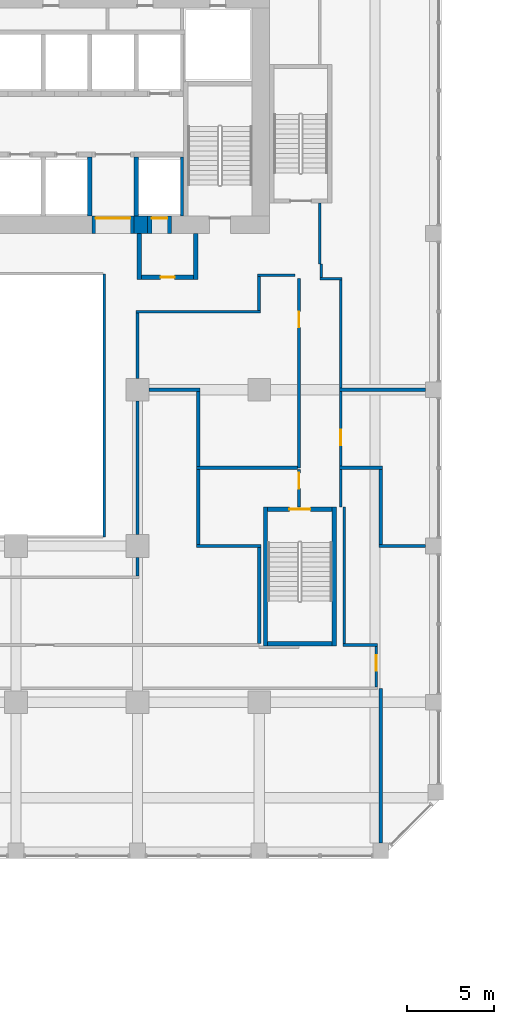
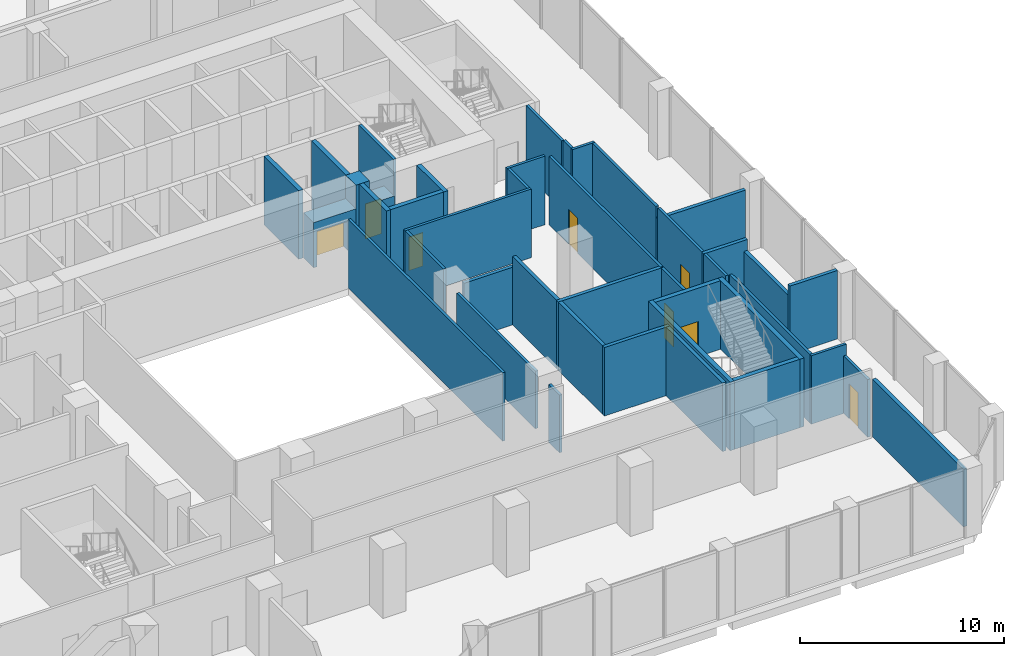
# One storey, part 19 of 35: 42 walls, 8 doors, 8 openings.
"""IFC4 building model written with IfcOpenShell, lengths in metres."""

from ifc_helpers import new_model, si_unit, direction, frame, frame_2d, origin, place, context, subcontext, project, spatial, rectangle, extrude, source, transform, mapped, material, layer, layer_set, type_object, element, fill, save


model = new_model("IFC4")

# Units and contexts
model_context = context("Model", 3, precision=1e-05, world=origin(), true_north=direction((0.0, 1.0)))
body_context = subcontext(model_context, "Body", "Model", "MODEL_VIEW")
ifc_project = project(units=[si_unit("LENGTHUNIT", "METRE"), si_unit("AREAUNIT", "SQUARE_METRE"), si_unit("VOLUMEUNIT", "CUBIC_METRE"), si_unit("PLANEANGLEUNIT", "RADIAN"), si_unit("MASSUNIT", "GRAM", prefix="KILO")], contexts=[model_context])

# Site, building, storey
site_placement = place(None, origin())
site = spatial("IfcSite", under=ifc_project, at=site_placement, CompositionType="ELEMENT")
building_placement = place(site_placement, origin())
building = spatial("IfcBuilding", under=site, at=building_placement, Name="Kilnfold Tower and Market Hall", CompositionType="ELEMENT")
storey_placement = place(building_placement, frame((0.0, 0.0, 13.5)))
storey = spatial("IfcBuildingStorey", under=building, at=storey_placement, Name="L02", CompositionType="ELEMENT", Elevation=13.5)

# Walls
ifc_material_1 = material(Name="Fire-resisting glazed screen")
ifc_layer_1 = layer(ifc_material_1, 0.14990234375)
ifc_layer_set_1 = layer_set([ifc_layer_1], Name="Fire-resisting glazed screen")
wall_type_1 = type_object("IfcWallType", Name="WALL ATRIUM 150", PredefinedType="PARTITIONING", material=ifc_layer_set_1)
wall_1_placement = place(storey_placement, frame((8.574951171875, 5.675048828125, 0.0), z_axis=(0.0, 0.0, 1.0), x_axis=(0.0, -1.0, 0.0)))
element("IfcWall", 1, at=wall_1_placement, inside=storey, type_object=wall_type_1, Name="Partition LY03.70", PredefinedType="PARTITIONING", context=body_context, shape_type="SweptSolid", body=[
    extrude(rectangle(XDim=15.150146484375, YDim=0.14990234375, at=frame_2d((7.5751953125, 0.0))), origin(), (0.0, 0.0, 1.0), 4.10009765625),
])
ifc_material_2 = material(Name="Gypsum board on steel studs", Category="steel")
ifc_layer_2 = layer(ifc_material_2, 0.14990234375)
ifc_layer_set_2 = layer_set([ifc_layer_2], Name="Gypsum board on steel studs")
wall_type_2 = type_object("IfcWallType", Name="WALL CORRIDOR 150", PredefinedType="PARTITIONING", material=ifc_layer_set_2)
wall_2_placement = place(storey_placement, frame((10.5, -9.35009765625, 0.0), z_axis=(0.0, 0.0, 1.0), x_axis=(0.0, 1.0, 0.0)))
element("IfcWall", 2, at=wall_2_placement, inside=storey, type_object=wall_type_2, Name="Partition LY03.18", PredefinedType="PARTITIONING", context=body_context, shape_type="SweptSolid", body=[
    extrude(rectangle(XDim=7.7001953125, YDim=0.14990234375, at=frame_2d((3.85009765625, 0.0))), origin(), (0.0, 0.0, 1.0), 3.449951171875),
])
wall_3_placement = place(storey_placement, frame((10.5, -11.72509765625, 0.0), z_axis=(0.0, 0.0, 1.0), x_axis=(0.0, 1.0, 0.0)))
element("IfcWall", 3, at=wall_3_placement, inside=storey, type_object=wall_type_2, Name="Partition LY03.19", PredefinedType="PARTITIONING", context=body_context, shape_type="SweptSolid", body=[
    extrude(rectangle(XDim=1.0751953125, YDim=0.14990234375, at=frame_2d((0.53759765625, 0.0))), origin(), (0.0, 0.0, 1.0), 3.449951171875),
])
wall_4_placement = place(storey_placement, frame((21.0, 6.25, 0.0), z_axis=(0.0, 0.0, 1.0), x_axis=(0.0, 1.0, 0.0)))
element("IfcWall", 4, at=wall_4_placement, inside=storey, type_object=wall_type_2, Name="Partition LY03.24", PredefinedType="PARTITIONING", context=body_context, shape_type="SweptSolid", body=[
    extrude(rectangle(XDim=3.5, YDim=0.14990234375, at=frame_2d((1.75, 0.0))), origin(), (0.0, 0.0, 1.0), 4.10009765625),
])
wall_5_placement = place(storey_placement, frame((21.074951171875, 5.47509765625, 0.0), z_axis=(0.0, 0.0, 1.0), x_axis=(0.0, 1.0, 0.0)))
element("IfcWall", 5, at=wall_5_placement, inside=storey, type_object=wall_type_2, Name="Partition LY03.25", PredefinedType="PARTITIONING", context=body_context, shape_type="SweptSolid", body=[
    extrude(rectangle(XDim=0.77490234375, YDim=0.14990234375, at=frame_2d((0.387451171875, 0.0))), origin(), (0.0, 0.0, 1.0), 4.10009765625),
])
wall_6_placement = place(storey_placement, frame((22.27490234375, 5.39990234375, 0.0), z_axis=(0.0, 0.0, 1.0), x_axis=(-1.0, 0.0, 0.0)))
element("IfcWall", 6, at=wall_6_placement, inside=storey, type_object=wall_type_2, Name="Partition LY03.26", PredefinedType="PARTITIONING", context=body_context, shape_type="SweptSolid", body=[
    extrude(rectangle(XDim=1.27490234375, YDim=0.14990234375, at=frame_2d((0.637451171875, 0.0))), origin(), (0.0, 0.0, 1.0), 4.10009765625),
])
wall_7_placement = place(storey_placement, frame((22.199951171875, -0.909912109375, 0.0), z_axis=(0.0, 0.0, 1.0), x_axis=(0.0, 1.0, 0.0)))
element("IfcWall", 7, at=wall_7_placement, inside=storey, type_object=wall_type_2, Name="Partition LY03.27", PredefinedType="PARTITIONING", context=body_context, shape_type="SweptSolid", body=[
    extrude(rectangle(XDim=6.23486328125, YDim=0.14990234375, at=frame_2d((3.117431640625, 0.0))), origin(), (0.0, 0.0, 1.0), 4.10009765625),
])
wall_8_placement = place(storey_placement, frame((10.425048828125, 3.5, 0.0), z_axis=(0.0, 0.0, 1.0), x_axis=(1.0, 0.0, 0.0)))
element("IfcWall", 8, at=wall_8_placement, inside=storey, type_object=wall_type_2, Name="Partition LY03.28", PredefinedType="PARTITIONING", context=body_context, shape_type="SweptSolid", body=[
    extrude(rectangle(XDim=7.14990234375, YDim=0.14990234375, at=frame_2d((3.574951171875, 0.0))), origin(), (0.0, 0.0, 1.0), 4.10009765625),
])
wall_9_placement = place(storey_placement, frame((10.5, -0.35009765625, 0.0), z_axis=(0.0, 0.0, 1.0), x_axis=(0.0, 1.0, 0.0)))
element("IfcWall", 9, at=wall_9_placement, inside=storey, type_object=wall_type_2, Name="Partition LY03.29", PredefinedType="PARTITIONING", context=body_context, shape_type="SweptSolid", body=[
    extrude(rectangle(XDim=3.775146484375, YDim=0.14990234375, at=frame_2d((1.8876953125, 0.0))), origin(), (0.0, 0.0, 1.0), 4.10009765625),
])

# Wall, opening, door
wall_10_placement = place(storey_placement, frame((19.801025390625, 5.402099609375, 0.0), z_axis=(0.0, 0.0, 1.0), x_axis=(-8.9493467e-05, -0.999999995995, 0.0)))
wall_10 = element("IfcWall", 10, at=wall_10_placement, inside=storey, type_object=wall_type_2, Name="Partition LY03.30", PredefinedType="PARTITIONING", context=body_context, shape_type="SweptSolid", body=[
    extrude(rectangle(XDim=10.912109375, YDim=0.14990234375, at=frame_2d((5.4560546875, 0.0))), origin(), (0.0, 0.0, 1.0), 4.10009765625),
])
opening_1_placement = place(wall_10_placement, frame((1.902099609375, 0.0, 0.0)))
opening_1 = element("IfcOpeningElement", 11, at=opening_1_placement, cuts=wall_10, Name="Opening D2", PredefinedType="OPENING", context=body_context, shape_type="SweptSolid", body=[
    extrude(rectangle(XDim=0.89990234375, YDim=2.10009765625, at=frame_2d((0.449951171875, 1.050048828125))), frame((0.0, 0.0849609375, 0.0), z_axis=(0.0, -1.0, 0.0), x_axis=(1.0, 0.0, 0.0)), (0.0, 0.0, 1.0), 0.169921875),
])
ifc_material_3 = material(Name="Timber veneer door leaf in steel frame", Category="steel")
door_type_1 = type_object("IfcDoorType", Name="DOOR ROOM 900 X2100", OperationType="NOTDEFINED", PredefinedType="DOOR", material=ifc_material_3)
door_1_placement = place(opening_1_placement, origin())
door_1 = element("IfcDoor", 12, at=door_1_placement, inside=storey, type_object=door_type_1, Name="Door D2", OperationType="SINGLE_SWING_RIGHT", OverallHeight=2.10009765625, OverallWidth=0.89990234375, PredefinedType="DOOR", context=body_context, shape_type="SweptSolid", body=[
    extrude(rectangle(XDim=0.89990234375, YDim=2.10009765625, at=frame_2d((0.449951171875, 1.050048828125))), frame((0.0, 0.02490234375, 0.0), z_axis=(0.0, -1.0, 0.0), x_axis=(1.0, 0.0, 0.0)), (0.0, 0.0, 1.0), 0.050048828125),
])
fill(opening_1, door_1)

# Walls
wall_11_placement = place(storey_placement, frame((17.425048828125, 5.60009765625, 0.0), z_axis=(0.0, 0.0, 1.0), x_axis=(1.0, 0.0, 0.0)))
element("IfcWall", 13, at=wall_11_placement, inside=storey, type_object=wall_type_2, Name="Partition LY03.31", PredefinedType="PARTITIONING", context=body_context, shape_type="SweptSolid", body=[
    extrude(rectangle(XDim=2.14990234375, YDim=0.14990234375, at=frame_2d((1.074951171875, 0.0))), origin(), (0.0, 0.0, 1.0), 4.10009765625),
])
wall_12_placement = place(storey_placement, frame((17.5, 3.574951171875, 0.0), z_axis=(0.0, 0.0, 1.0), x_axis=(0.0, 1.0, 0.0)))
element("IfcWall", 14, at=wall_12_placement, inside=storey, type_object=wall_type_2, Name="Partition LY03.32", PredefinedType="PARTITIONING", context=body_context, shape_type="SweptSolid", body=[
    extrude(rectangle(XDim=1.949951171875, YDim=0.14990234375, at=frame_2d((0.97509765625, 0.0))), origin(), (0.0, 0.0, 1.0), 4.10009765625),
])

# Wall, opening, door
wall_13_placement = place(storey_placement, frame((19.800048828125, -5.590087890625, 0.0), z_axis=(0.0, 0.0, 1.0), x_axis=(0.0, -1.0, 0.0)))
wall_13 = element("IfcWall", 15, at=wall_13_placement, inside=storey, type_object=wall_type_2, Name="Partition LY03.34", PredefinedType="PARTITIONING", context=body_context, shape_type="SweptSolid", body=[
    extrude(rectangle(XDim=2.159912109375, YDim=0.14990234375, at=frame_2d((1.080078125, 0.0))), origin(), (0.0, 0.0, 1.0), 4.10009765625),
])
opening_2_placement = place(wall_13_placement, frame((0.199951171875, 0.0, 0.0)))
opening_2 = element("IfcOpeningElement", 16, at=opening_2_placement, cuts=wall_13, Name="Opening D3", PredefinedType="OPENING", context=body_context, shape_type="SweptSolid", body=[
    extrude(rectangle(XDim=0.89990234375, YDim=2.10009765625, at=frame_2d((0.449951171875, 1.050048828125))), frame((0.0, 0.0849609375, 0.0), z_axis=(0.0, -1.0, 0.0), x_axis=(1.0, 0.0, 0.0)), (0.0, 0.0, 1.0), 0.169921875),
])
ifc_material_4 = material(Name="Timber veneer door leaf in steel frame", Category="steel")
door_type_2 = type_object("IfcDoorType", Name="DOOR WC 900 X2100", OperationType="NOTDEFINED", PredefinedType="DOOR", material=ifc_material_4)
door_2_placement = place(opening_2_placement, origin())
door_2 = element("IfcDoor", 17, at=door_2_placement, inside=storey, type_object=door_type_2, Name="Door D3", OperationType="SINGLE_SWING_LEFT", OverallHeight=2.10009765625, OverallWidth=0.89990234375, PredefinedType="DOOR", context=body_context, shape_type="SweptSolid", body=[
    extrude(rectangle(XDim=0.89990234375, YDim=2.10009765625, at=frame_2d((0.449951171875, 1.050048828125))), frame((0.0, 0.02490234375, 0.0), z_axis=(0.0, -1.0, 0.0), x_axis=(1.0, 0.0, 0.0)), (0.0, 0.0, 1.0), 0.050048828125),
])
fill(opening_2, door_2)

# Walls
wall_14_placement = place(storey_placement, frame((22.199951171875, -7.757080078125, 0.0), z_axis=(0.0, 0.0, 1.0), x_axis=(0.0, 1.0, 0.0)))
element("IfcWall", 18, at=wall_14_placement, inside=storey, type_object=wall_type_2, Name="Partition LY03.35", PredefinedType="PARTITIONING", context=body_context, shape_type="SweptSolid", body=[
    extrude(rectangle(XDim=2.1669921875, YDim=0.14990234375, at=frame_2d((1.08349609375, 0.0))), origin(), (0.0, 0.0, 1.0), 4.10009765625),
])
wall_15_placement = place(storey_placement, frame((22.4130859375, -15.625, 0.0), z_axis=(0.0, 0.0, 1.0), x_axis=(0.0, 1.0, 0.0)))
element("IfcWall", 19, at=wall_15_placement, inside=storey, type_object=wall_type_2, Name="Partition LY03.36", PredefinedType="PARTITIONING", context=body_context, shape_type="SweptSolid", body=[
    extrude(rectangle(XDim=7.867919921875, YDim=0.14990234375, at=frame_2d((3.93408203125, 0.0))), origin(), (0.0, 0.0, 1.0), 4.10009765625),
])
wall_16_placement = place(storey_placement, frame((22.337890625, -15.699951171875, 0.0), z_axis=(0.0, 0.0, 1.0), x_axis=(1.0, 0.0, 0.0)))
element("IfcWall", 20, at=wall_16_placement, inside=storey, type_object=wall_type_2, Name="Partition LY03.37", PredefinedType="PARTITIONING", context=body_context, shape_type="SweptSolid", body=[
    extrude(rectangle(XDim=1.987060546875, YDim=0.14990234375, at=frame_2d((0.99365234375, 0.0))), origin(), (0.0, 0.0, 1.0), 4.10009765625),
])

# Wall, opening, door
wall_17_placement = place(storey_placement, frame((24.25, -18.125, 0.0), z_axis=(0.0, 0.0, 1.0), x_axis=(0.0, 1.0, 0.0)))
wall_17 = element("IfcWall", 21, at=wall_17_placement, inside=storey, type_object=wall_type_2, Name="Partition LY03.38", PredefinedType="PARTITIONING", context=body_context, shape_type="SweptSolid", body=[
    extrude(rectangle(XDim=2.35009765625, YDim=0.14990234375, at=frame_2d((1.175048828125, 0.0))), origin(), (0.0, 0.0, 1.0), 3.449951171875),
])
opening_3_placement = place(wall_17_placement, frame((0.93505859375, 0.0, 0.0)))
opening_3 = element("IfcOpeningElement", 22, at=opening_3_placement, cuts=wall_17, Name="Opening D2", PredefinedType="OPENING", context=body_context, shape_type="SweptSolid", body=[
    extrude(rectangle(XDim=0.89990234375, YDim=2.10009765625, at=frame_2d((0.449951171875, 1.050048828125))), frame((0.0, 0.0849609375, 0.0), z_axis=(0.0, -1.0, 0.0), x_axis=(1.0, 0.0, 0.0)), (0.0, 0.0, 1.0), 0.169921875),
])
door_3_placement = place(opening_3_placement, origin())
door_3 = element("IfcDoor", 23, at=door_3_placement, inside=storey, type_object=door_type_1, Name="Door D2", OperationType="SINGLE_SWING_RIGHT", OverallHeight=2.10009765625, OverallWidth=0.89990234375, PredefinedType="DOOR", context=body_context, shape_type="SweptSolid", body=[
    extrude(rectangle(XDim=0.89990234375, YDim=2.10009765625, at=frame_2d((0.449951171875, 1.050048828125))), frame((0.0, 0.02490234375, 0.0), z_axis=(0.0, -1.0, 0.0), x_axis=(1.0, 0.0, 0.0)), (0.0, 0.0, 1.0), 0.050048828125),
])
fill(opening_3, door_3)

wall_18_placement = place(storey_placement, frame((22.199951171875, -5.409912109375, 0.0), z_axis=(0.0, 0.0, 1.0), x_axis=(0.0, 1.0, 0.0)))
wall_18 = element("IfcWall", 24, at=wall_18_placement, inside=storey, type_object=wall_type_2, Name="Partition LY03.39", PredefinedType="PARTITIONING", context=body_context, shape_type="SweptSolid", body=[
    extrude(rectangle(XDim=4.31982421875, YDim=0.14990234375, at=frame_2d((2.159912109375, 0.0))), origin(), (0.0, 0.0, 1.0), 4.10009765625),
])
opening_4_placement = place(wall_18_placement, frame((1.20703125, 0.0, 0.0)))
opening_4 = element("IfcOpeningElement", 25, at=opening_4_placement, cuts=wall_18, Name="Opening D2", PredefinedType="OPENING", context=body_context, shape_type="SweptSolid", body=[
    extrude(rectangle(XDim=0.89990234375, YDim=2.10009765625, at=frame_2d((0.449951171875, 1.050048828125))), frame((0.0, 0.0849609375, 0.0), z_axis=(0.0, -1.0, 0.0), x_axis=(1.0, 0.0, 0.0)), (0.0, 0.0, 1.0), 0.169921875),
])
door_4_placement = place(opening_4_placement, origin())
door_4 = element("IfcDoor", 26, at=door_4_placement, inside=storey, type_object=door_type_1, Name="Door D2", OperationType="SINGLE_SWING_LEFT", OverallHeight=2.10009765625, OverallWidth=0.89990234375, PredefinedType="DOOR", context=body_context, shape_type="SweptSolid", body=[
    extrude(rectangle(XDim=0.89990234375, YDim=2.10009765625, at=frame_2d((0.449951171875, 1.050048828125))), frame((0.0, 0.02490234375, 0.0), z_axis=(0.0, -1.0, 0.0), x_axis=(1.0, 0.0, 0.0)), (0.0, 0.0, 1.0), 0.050048828125),
])
fill(opening_4, door_4)

# Walls
ifc_material_5 = material(Name="Gypsum board on steel studs", Category="steel")
ifc_layer_3 = layer(ifc_material_5, 0.199951171875)
ifc_layer_set_3 = layer_set([ifc_layer_3], Name="Gypsum board on steel studs")
wall_type_3 = type_object("IfcWallType", Name="WALL PARTY 200", PredefinedType="PARTITIONING", material=ifc_layer_set_3)
wall_19_placement = place(storey_placement, frame((24.5, -27.10009765625, 0.0), z_axis=(0.0, 0.0, 1.0), x_axis=(0.0, 1.0, 0.0)))
element("IfcWall", 27, at=wall_19_placement, inside=storey, type_object=wall_type_3, Name="Partition LY03.41", PredefinedType="PARTITIONING", context=body_context, shape_type="SweptSolid", body=[
    extrude(rectangle(XDim=8.900146484375, YDim=0.199951171875, at=frame_2d((4.4501953125, 0.0))), origin(), (0.0, 0.0, 1.0), 3.449951171875),
])
wall_20_placement = place(storey_placement, frame((11.14990234375, -1.0, 0.0), z_axis=(0.0, 0.0, 1.0), x_axis=(1.0, 0.0, 0.0)))
element("IfcWall", 28, at=wall_20_placement, inside=storey, type_object=wall_type_3, Name="Partition LY03.55", PredefinedType="PARTITIONING", context=body_context, shape_type="SweptSolid", body=[
    extrude(rectangle(XDim=2.9501953125, YDim=0.199951171875, at=frame_2d((1.47509765625, 0.0))), origin(), (0.0, 0.0, 1.0), 3.449951171875),
])
for number, where, z_axis, x_axis, name in (
    (29, (14.0, -5.409912109375, 0.0), (0.0, 0.0, 1.0), (0.0, 1.0, 0.0), "Partition LY03.56"),
    (30, (14.0, -9.89990234375, 0.0), (0.0, 0.0, 1.0), (0.0, 1.0, 0.0), "Partition LY03.57"),
):
    element("IfcWall", number, at=place(storey_placement, frame(where, z_axis=z_axis, x_axis=x_axis)), inside=storey, type_object=wall_type_3, Name=name, PredefinedType="PARTITIONING", context=body_context, shape_type="SweptSolid", body=[
        extrude(rectangle(XDim=4.309814453125, YDim=0.199951171875, at=frame_2d((2.15478515625, 0.0))), origin(), (0.0, 0.0, 1.0), 4.10009765625),
    ])
wall_21_placement = place(storey_placement, frame((13.89990234375, -10.0, 0.0), z_axis=(0.0, 0.0, 1.0), x_axis=(1.0, 0.0, 0.0)))
element("IfcWall", 31, at=wall_21_placement, inside=storey, type_object=wall_type_3, Name="Partition LY03.58", PredefinedType="PARTITIONING", context=body_context, shape_type="SweptSolid", body=[
    extrude(rectangle(XDim=3.7001953125, YDim=0.199951171875, at=frame_2d((1.85009765625, 0.0))), origin(), (0.0, 0.0, 1.0), 4.10009765625),
])
wall_22_placement = place(storey_placement, frame((17.5, -15.6240234375, 0.0), z_axis=(0.0, 0.0, 1.0), x_axis=(0.0, 1.0, 0.0)))
element("IfcWall", 32, at=wall_22_placement, inside=storey, type_object=wall_type_3, Name="Partition LY03.59", PredefinedType="PARTITIONING", context=body_context, shape_type="SweptSolid", body=[
    extrude(rectangle(XDim=5.52392578125, YDim=0.199951171875, at=frame_2d((2.761962890625, 0.0))), origin(), (0.0, 0.0, 1.0), 4.10009765625),
])
wall_23_placement = place(storey_placement, frame((22.1259765625, -1.0, 0.0), z_axis=(0.0, 0.0, 1.0), x_axis=(1.0, 0.0, 0.0)))
element("IfcWall", 33, at=wall_23_placement, inside=storey, type_object=wall_type_3, Name="Partition LY03.62", PredefinedType="PARTITIONING", context=body_context, shape_type="SweptSolid", body=[
    extrude(rectangle(XDim=4.97412109375, YDim=0.199951171875, at=frame_2d((2.487060546875, 0.0))), origin(), (0.0, 0.0, 1.0), 3.449951171875),
])
wall_24_placement = place(storey_placement, frame((13.89990234375, -5.5, 0.0), z_axis=(0.0, 0.0, 1.0), x_axis=(1.0, 0.0, 0.0)))
element("IfcWall", 34, at=wall_24_placement, inside=storey, type_object=wall_type_3, Name="Partition LY03.63", PredefinedType="PARTITIONING", context=body_context, shape_type="SweptSolid", body=[
    extrude(rectangle(XDim=5.8251953125, YDim=0.199951171875, at=frame_2d((2.91259765625, 0.0))), origin(), (0.0, 0.0, 1.0), 4.10009765625),
])
wall_25_placement = place(storey_placement, frame((22.1259765625, -5.5, 0.0), z_axis=(0.0, 0.0, 1.0), x_axis=(1.0, 0.0, 0.0)))
element("IfcWall", 35, at=wall_25_placement, inside=storey, type_object=wall_type_3, Name="Partition LY03.64", PredefinedType="PARTITIONING", context=body_context, shape_type="SweptSolid", body=[
    extrude(rectangle(XDim=2.47412109375, YDim=0.199951171875, at=frame_2d((1.237060546875, 0.0))), origin(), (0.0, 0.0, 1.0), 4.10009765625),
])
wall_26_placement = place(storey_placement, frame((24.5, -9.89990234375, 0.0), z_axis=(0.0, 0.0, 1.0), x_axis=(0.0, 1.0, 0.0)))
element("IfcWall", 36, at=wall_26_placement, inside=storey, type_object=wall_type_3, Name="Partition LY03.65", PredefinedType="PARTITIONING", context=body_context, shape_type="SweptSolid", body=[
    extrude(rectangle(XDim=4.2998046875, YDim=0.199951171875, at=frame_2d((2.14990234375, 0.0))), origin(), (0.0, 0.0, 1.0), 3.449951171875),
])
wall_27_placement = place(storey_placement, frame((24.39990234375, -10.0, 0.0), z_axis=(0.0, 0.0, 1.0), x_axis=(1.0, 0.0, 0.0)))
element("IfcWall", 37, at=wall_27_placement, inside=storey, type_object=wall_type_3, Name="Partition LY03.66", PredefinedType="PARTITIONING", context=body_context, shape_type="SweptSolid", body=[
    extrude(rectangle(XDim=2.7001953125, YDim=0.199951171875, at=frame_2d((1.35009765625, 0.0))), origin(), (0.0, 0.0, 1.0), 4.10009765625),
])
ifc_material_6 = material(Name="Concrete C80", Category="concrete")
ifc_layer_4 = layer(ifc_material_6, 1.0)
ifc_layer_set_4 = layer_set([ifc_layer_4], Name="Concrete C80")
wall_type_4 = type_object("IfcWallType", Name="CORE WALL 1000 C80", PredefinedType="SHEAR", material=ifc_layer_set_4)
shared_shape_1 = source(origin(), body_context, "Body", "SweptSolid", [
    extrude(rectangle(XDim=0.780029296875, YDim=1.0, at=frame_2d((0.39013671875, 0.0))), origin(), (0.0, 0.0, 1.0), 4.10009765625),
])
wall_28_placement = place(storey_placement, frame((10.2900390625, 8.5, 0.0), z_axis=(0.0, 0.0, 1.0), x_axis=(1.0, 0.0, 0.0)))
element("IfcWall", 38, at=wall_28_placement, inside=storey, type_object=wall_type_4, Name="Core outer wall south", PredefinedType="SHEAR", context=body_context, shape_type="MappedRepresentation", body=[
    mapped(shared_shape_1, transform((0.0, 0.0, 0.0))),
])
ifc_material_7 = material(Name="Concrete C80", Category="concrete")
ifc_layer_5 = layer(ifc_material_7, 0.25)
ifc_layer_set_5 = layer_set([ifc_layer_5], Name="Concrete C80")
wall_type_5 = type_object("IfcWallType", Name="CORE WALL 250 C80", PredefinedType="SHEAR", material=ifc_layer_set_5)
shared_shape_2 = source(origin(), body_context, "Body", "SweptSolid", [
    extrude(rectangle(XDim=3.699951171875, YDim=0.25, at=frame_2d((1.85009765625, 0.0))), origin(), (0.0, 0.0, 1.0), 4.10009765625),
])
wall_29_placement = place(storey_placement, frame((18.0, -15.625, 0.0), z_axis=(0.0, 0.0, 1.0), x_axis=(1.0, 0.0, 0.0)))
element("IfcWall", 39, at=wall_29_placement, inside=storey, type_object=wall_type_5, Name="Stair enclosure ST4", PredefinedType="SHEAR", context=body_context, shape_type="MappedRepresentation", body=[
    mapped(shared_shape_2, transform((0.0, 0.0, 0.0))),
])

# Wall, opening, door
wall_30_placement = place(storey_placement, frame((18.0, -7.875, 0.0), z_axis=(0.0, 0.0, 1.0), x_axis=(1.0, 0.0, 0.0)))
wall_30 = element("IfcWall", 40, at=wall_30_placement, inside=storey, type_object=wall_type_5, Name="Stair enclosure ST4", PredefinedType="SHEAR", context=body_context, shape_type="MappedRepresentation", body=[
    mapped(shared_shape_2, transform((0.0, 0.0, 0.0))),
])
opening_5_placement = place(wall_30_placement, frame((1.25, 0.0, 0.0)))
opening_5 = element("IfcOpeningElement", 41, at=opening_5_placement, cuts=wall_30, Name="Opening SD1", PredefinedType="OPENING", context=body_context, shape_type="SweptSolid", body=[
    extrude(rectangle(XDim=1.199951171875, YDim=2.10009765625, at=frame_2d((0.60009765625, 1.050048828125))), frame((0.0, 0.135009765625, 0.0), z_axis=(0.0, -1.0, 0.0), x_axis=(1.0, 0.0, 0.0)), (0.0, 0.0, 1.0), 0.27001953125),
])
ifc_material_8 = material(Name="Steel door set with fire-resisting leaf", Category="steel")
door_type_3 = type_object("IfcDoorType", Name="STAIR FLOOR DOOR 1200X2100", OperationType="NOTDEFINED", PredefinedType="DOOR", material=ifc_material_8)
door_5_placement = place(opening_5_placement, origin())
door_5 = element("IfcDoor", 42, at=door_5_placement, inside=storey, type_object=door_type_3, Name="Exit stair ST4 door", OperationType="DOUBLE_DOOR_SINGLE_SWING", OverallHeight=2.10009765625, OverallWidth=1.199951171875, PredefinedType="DOOR", context=body_context, shape_type="SweptSolid", body=[
    extrude(rectangle(XDim=1.199951171875, YDim=2.10009765625, at=frame_2d((0.60009765625, 1.050048828125))), frame((0.0, 0.02490234375, 0.0), z_axis=(0.0, -1.0, 0.0), x_axis=(1.0, 0.0, 0.0)), (0.0, 0.0, 1.0), 0.050048828125),
])
fill(opening_5, door_5)

# Walls
shared_shape_3 = source(origin(), body_context, "Body", "SweptSolid", [
    extrude(rectangle(XDim=8.0, YDim=0.25, at=frame_2d((4.0, 0.0))), origin(), (0.0, 0.0, 1.0), 4.10009765625),
])
for number, where, z_axis, x_axis, name in (
    (43, (17.875, -15.75, 0.0), (0.0, 0.0, 1.0), (0.0, 1.0, 0.0), "Stair enclosure ST4"),
    (44, (21.824951171875, -15.75, 0.0), (0.0, 0.0, 1.0), (0.0, 1.0, 0.0), "Stair enclosure ST4"),
):
    element("IfcWall", number, at=place(storey_placement, frame(where, z_axis=z_axis, x_axis=x_axis)), inside=storey, type_object=wall_type_5, Name=name, PredefinedType="SHEAR", context=body_context, shape_type="MappedRepresentation", body=[
        mapped(shared_shape_3, transform((0.0, 0.0, 0.0))),
    ])
ifc_material_9 = material(Name="Gypsum shaft wall system")
ifc_layer_6 = layer(ifc_material_9, 0.25)
ifc_layer_set_6 = layer_set([ifc_layer_6], Name="Gypsum shaft wall system")
wall_type_6 = type_object("IfcWallType", Name="LOBBY WALL 250", PredefinedType="PARTITIONING", material=ifc_layer_set_6)
shared_shape_4 = source(origin(), body_context, "Body", "SweptSolid", [
    extrude(rectangle(XDim=2.64990234375, YDim=0.25, at=frame_2d((1.324951171875, 0.0))), origin(), (0.0, 0.0, 1.0), 4.10009765625),
])
for number, where, z_axis, x_axis, name in (
    (45, (10.60498046875, 5.35009765625, 0.0), (0.0, 0.0, 1.0), (0.0, 1.0, 0.0), "Firefighting lobby wall"),
    (46, (13.85498046875, 5.35009765625, 0.0), (0.0, 0.0, 1.0), (0.0, 1.0, 0.0), "Firefighting lobby wall"),
):
    element("IfcWall", number, at=place(storey_placement, frame(where, z_axis=z_axis, x_axis=x_axis)), inside=storey, type_object=wall_type_6, Name=name, PredefinedType="PARTITIONING", context=body_context, shape_type="MappedRepresentation", body=[
        mapped(shared_shape_4, transform((0.0, 0.0, 0.0))),
    ])

# Wall, opening, door
shared_shape_5 = source(origin(), body_context, "Body", "SweptSolid", [
    extrude(rectangle(XDim=3.0, YDim=0.25, at=frame_2d((1.5, 0.0))), origin(), (0.0, 0.0, 1.0), 4.10009765625),
])
wall_31_placement = place(storey_placement, frame((10.72998046875, 5.47509765625, 0.0), z_axis=(0.0, 0.0, 1.0), x_axis=(1.0, 0.0, 0.0)))
wall_31 = element("IfcWall", 47, at=wall_31_placement, inside=storey, type_object=wall_type_6, Name="Firefighting lobby wall", PredefinedType="PARTITIONING", context=body_context, shape_type="MappedRepresentation", body=[
    mapped(shared_shape_5, transform((0.0, 0.0, 0.0))),
])
opening_6_placement = place(wall_31_placement, frame((1.10009765625, 0.0, 0.0)))
opening_6 = element("IfcOpeningElement", 48, at=opening_6_placement, cuts=wall_31, Name="Opening VD1", PredefinedType="OPENING", context=body_context, shape_type="SweptSolid", body=[
    extrude(rectangle(XDim=0.800048828125, YDim=2.0, at=frame_2d((0.39990234375, 1.0))), frame((0.0, 0.135009765625, 0.0), z_axis=(0.0, -1.0, 0.0), x_axis=(1.0, 0.0, 0.0)), (0.0, 0.0, 1.0), 0.27001953125),
])
ifc_material_10 = material(Name="Steel door set with fire-resisting leaf", Category="steel")
door_type_4 = type_object("IfcDoorType", Name="FIREFIGHTING LOBBY DOOR 800X2000", OperationType="NOTDEFINED", PredefinedType="DOOR", material=ifc_material_10)
door_6_placement = place(opening_6_placement, origin())
door_6 = element("IfcDoor", 49, at=door_6_placement, inside=storey, type_object=door_type_4, Name="Firefighting lobby door", OperationType="SINGLE_SWING_RIGHT", OverallHeight=2.0, OverallWidth=0.800048828125, PredefinedType="DOOR", context=body_context, shape_type="SweptSolid", body=[
    extrude(rectangle(XDim=0.800048828125, YDim=2.0, at=frame_2d((0.39990234375, 1.0))), frame((0.0, 0.02490234375, 0.0), z_axis=(0.0, -1.0, 0.0), x_axis=(1.0, 0.0, 0.0)), (0.0, 0.0, 1.0), 0.050048828125),
])
fill(opening_6, door_6)

# Walls
ifc_material_11 = material(Name="Gypsum shaft wall system")
ifc_layer_7 = layer(ifc_material_11, 0.25)
ifc_layer_set_7 = layer_set([ifc_layer_7], Name="Gypsum shaft wall system")
wall_type_7 = type_object("IfcWallType", Name="SHAFT WALL 250", PredefinedType="PARTITIONING", material=ifc_layer_set_7)
shared_shape_6 = source(origin(), body_context, "Body", "SweptSolid", [
    extrude(rectangle(XDim=3.39990234375, YDim=0.25, at=frame_2d((1.699951171875, 0.0))), origin(), (0.0, 0.0, 1.0), 4.10009765625),
])
for number, where, z_axis, x_axis, name in (
    (50, (10.429931640625, 9.0, 0.0), (0.0, 0.0, 1.0), (0.0, 1.0, 0.0), "Lift shaft wall"),
    (51, (7.75, 9.0, 0.0), (0.0, 0.0, 1.0), (0.0, 1.0, 0.0), "Lift shaft wall"),
):
    element("IfcWall", number, at=place(storey_placement, frame(where, z_axis=z_axis, x_axis=x_axis)), inside=storey, type_object=wall_type_7, Name=name, PredefinedType="PARTITIONING", context=body_context, shape_type="MappedRepresentation", body=[
        mapped(shared_shape_6, transform((0.0, 0.0, 0.0))),
    ])
ifc_material_12 = material(Name="Gypsum shaft wall system")
ifc_layer_8 = layer(ifc_material_12, 0.1650390625)
ifc_layer_set_8 = layer_set([ifc_layer_8], Name="Gypsum shaft wall system")
wall_type_8 = type_object("IfcWallType", Name="SHAFT WALL 165", PredefinedType="PARTITIONING", material=ifc_layer_set_8)
shared_shape_7 = source(origin(), body_context, "Body", "SweptSolid", [
    extrude(rectangle(XDim=3.39990234375, YDim=0.1650390625, at=frame_2d((1.699951171875, 0.0))), origin(), (0.0, 0.0, 1.0), 4.10009765625),
])
wall_32_placement = place(storey_placement, frame((13.0673828125, 9.0, 0.0), z_axis=(0.0, 0.0, 1.0), x_axis=(0.0, 1.0, 0.0)))
element("IfcWall", 52, at=wall_32_placement, inside=storey, type_object=wall_type_8, Name="Lift shaft wall", PredefinedType="PARTITIONING", context=body_context, shape_type="MappedRepresentation", body=[
    mapped(shared_shape_7, transform((0.0, 0.0, 0.0))),
])

# Wall, opening, door
ifc_material_13 = material(Name="Gypsum shaft wall system")
ifc_layer_9 = layer(ifc_material_13, 1.0)
ifc_layer_set_9 = layer_set([ifc_layer_9], Name="Gypsum shaft wall system")
wall_type_9 = type_object("IfcWallType", Name="LOBBY WALL 1000", PredefinedType="PARTITIONING", material=ifc_layer_set_9)
shared_shape_8 = source(origin(), body_context, "Body", "SweptSolid", [
    extrude(rectangle(XDim=1.39990234375, YDim=1.0, at=frame_2d((0.699951171875, 0.0))), origin(), (0.0, 0.0, 1.0), 2.699951171875),
])
wall_33_placement = place(storey_placement, frame((11.070068359375, 8.5, 0.0), z_axis=(0.0, 0.0, 1.0), x_axis=(1.0, 0.0, 0.0)))
wall_33 = element("IfcWall", 53, at=wall_33_placement, inside=storey, type_object=wall_type_9, Name="Core wall infill", PredefinedType="PARTITIONING", context=body_context, shape_type="MappedRepresentation", body=[
    mapped(shared_shape_8, transform((0.0, 0.0, 0.0))),
])
opening_7_placement = place(wall_33_placement, frame((0.25, 0.0, 0.0)))
opening_7 = element("IfcOpeningElement", 54, at=opening_7_placement, cuts=wall_33, Name="Opening LD1", PredefinedType="OPENING", context=body_context, shape_type="SweptSolid", body=[
    extrude(rectangle(XDim=0.89990234375, YDim=2.10009765625, at=frame_2d((0.449951171875, 1.050048828125))), frame((0.0, 0.510009765625, 0.0), z_axis=(0.0, -1.0, 0.0), x_axis=(1.0, 0.0, 0.0)), (0.0, 0.0, 1.0), 1.02001953125),
])
ifc_material_14 = material(Name="Steel door set with fire-resisting leaf", Category="steel")
door_type_5 = type_object("IfcDoorType", Name="FIREFIGHTING LANDING DOOR 900X2100", OperationType="NOTDEFINED", PredefinedType="DOOR", material=ifc_material_14)
door_7_placement = place(opening_7_placement, origin())
door_7 = element("IfcDoor", 55, at=door_7_placement, inside=storey, type_object=door_type_5, Name="Landing door FF3", OperationType="SLIDING_TO_LEFT", OverallHeight=2.10009765625, OverallWidth=0.89990234375, PredefinedType="DOOR", context=body_context, shape_type="SweptSolid", body=[
    extrude(rectangle(XDim=0.89990234375, YDim=2.10009765625, at=frame_2d((0.449951171875, 1.050048828125))), frame((0.0, 0.40478515625, 0.0), z_axis=(0.0, -1.0, 0.0), x_axis=(1.0, 0.0, 0.0)), (0.0, 0.0, 1.0), 0.050048828125),
])
fill(opening_7, door_7)

shared_shape_9 = source(origin(), body_context, "Body", "SweptSolid", [
    extrude(rectangle(XDim=2.400146484375, YDim=1.0, at=frame_2d((1.2001953125, 0.0))), origin(), (0.0, 0.0, 1.0), 2.699951171875),
])
wall_34_placement = place(storey_placement, frame((7.889892578125, 8.5, 0.0), z_axis=(0.0, 0.0, 1.0), x_axis=(1.0, 0.0, 0.0)))
wall_34 = element("IfcWall", 56, at=wall_34_placement, inside=storey, type_object=wall_type_9, Name="Core wall infill", PredefinedType="PARTITIONING", context=body_context, shape_type="MappedRepresentation", body=[
    mapped(shared_shape_9, transform((0.0, 0.0, 0.0))),
])
opening_8_placement = place(wall_34_placement, frame((0.199951171875, 0.0, 0.0)))
opening_8 = element("IfcOpeningElement", 57, at=opening_8_placement, cuts=wall_34, Name="Opening VD2", PredefinedType="OPENING", context=body_context, shape_type="SweptSolid", body=[
    extrude(rectangle(XDim=2.0, YDim=2.10009765625, at=frame_2d((1.0, 1.050048828125))), frame((0.0, 0.510009765625, 0.0), z_axis=(0.0, -1.0, 0.0), x_axis=(1.0, 0.0, 0.0)), (0.0, 0.0, 1.0), 1.02001953125),
])
ifc_material_15 = material(Name="Steel door set with fire-resisting leaf", Category="steel")
door_type_6 = type_object("IfcDoorType", Name="LIFT LOBBY ENTRANCE DOOR 2000X2100", OperationType="NOTDEFINED", PredefinedType="DOOR", material=ifc_material_15)
door_8_placement = place(opening_8_placement, origin())
door_8 = element("IfcDoor", 58, at=door_8_placement, inside=storey, type_object=door_type_6, Name="Lift lobby entrance door", OperationType="DOUBLE_DOOR_SINGLE_SWING", OverallHeight=2.10009765625, OverallWidth=2.0, PredefinedType="DOOR", context=body_context, shape_type="SweptSolid", body=[
    extrude(rectangle(XDim=2.0, YDim=2.10009765625, at=frame_2d((1.0, 1.050048828125))), frame((0.0, 0.40478515625, 0.0), z_axis=(0.0, -1.0, 0.0), x_axis=(1.0, 0.0, 0.0)), (0.0, 0.0, 1.0), 0.050048828125),
])
fill(opening_8, door_8)

save(model, "model.ifc")
